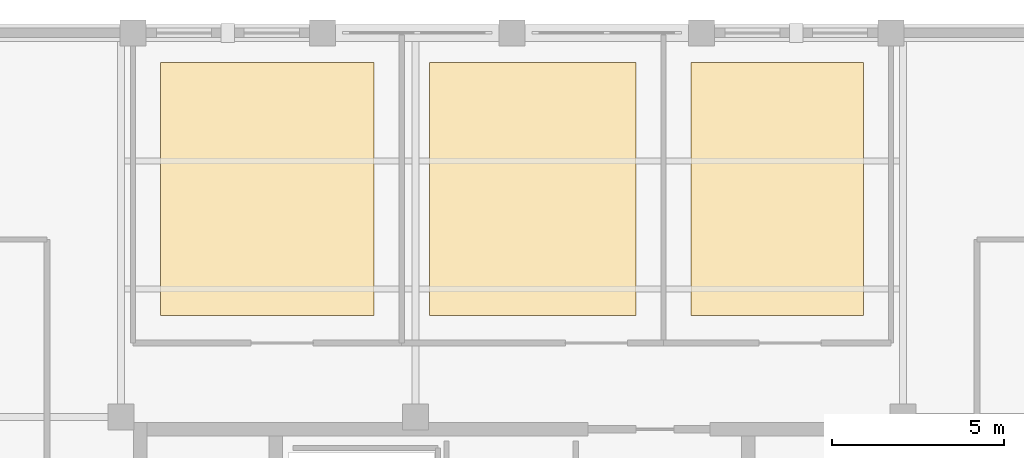
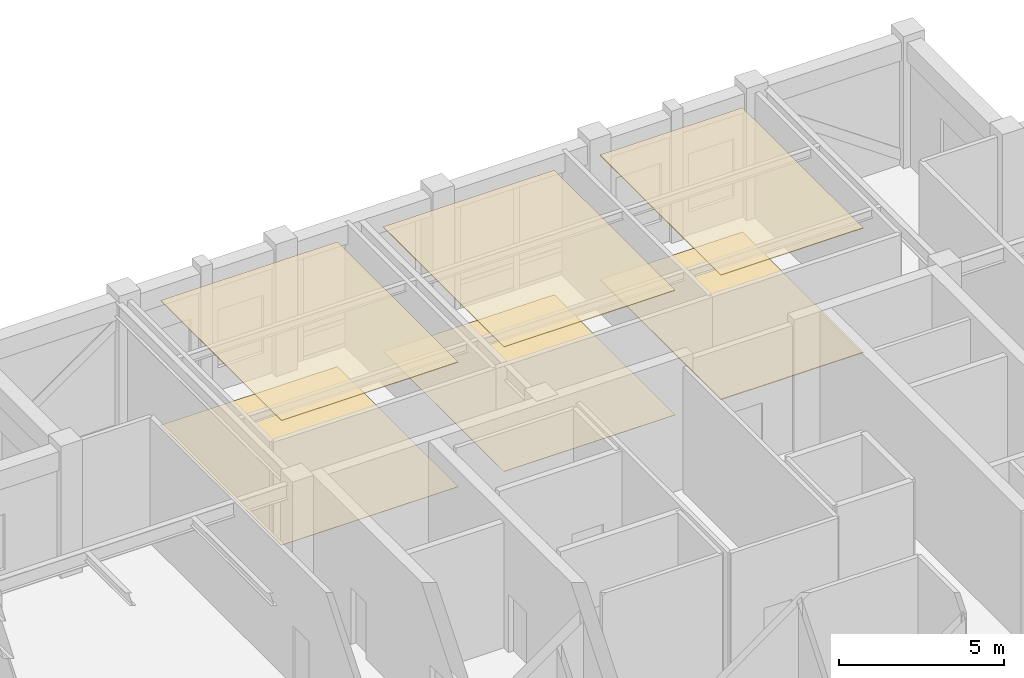
# One storey, part 13 of 13: 6 coverings.
"""IFC4 building model written with IfcOpenShell, lengths in metres."""

from ifc_helpers import new_model, si_unit, direction, frame, origin, place, context, subcontext, project, spatial, polyline, outline, extrude, material, layer, layer_set, type_object, element, save


model = new_model("IFC4")

# Units and contexts
model_context = context("Model", 3, precision=1e-05, world=origin(), true_north=direction((0.0, 1.0)))
body_context = subcontext(model_context, "Body", "Model", "MODEL_VIEW")
ifc_project = project(units=[si_unit("LENGTHUNIT", "METRE"), si_unit("AREAUNIT", "SQUARE_METRE"), si_unit("VOLUMEUNIT", "CUBIC_METRE"), si_unit("PLANEANGLEUNIT", "RADIAN"), si_unit("MASSUNIT", "GRAM", prefix="KILO")], contexts=[model_context])

# Site, building, storey
site_placement = place(None, origin())
site = spatial("IfcSite", under=ifc_project, at=site_placement, CompositionType="ELEMENT")
building_placement = place(site_placement, origin())
building = spatial("IfcBuilding", under=site, at=building_placement, Name="Nhamokura Convention Tower", CompositionType="ELEMENT")
storey_placement = place(building_placement, frame((0.0, 0.0, 308.35009765625)))
storey = spatial("IfcBuildingStorey", under=building, at=storey_placement, Name="L76", CompositionType="ELEMENT", Elevation=308.35009765625)

# Coverings
ifc_material_1 = material(Name="Mineral-fibre acoustic ceiling tile", Category="gypsum")
ifc_layer_1 = layer(ifc_material_1, 0.02490234375)
ifc_layer_set_1 = layer_set([ifc_layer_1], Name="AcousticTileCeiling_25")
covering_type_1 = type_object("IfcCoveringType", Name="AcousticTileCeiling_25", PredefinedType="CEILING", material=ifc_layer_set_1)
covering_1_placement = place(storey_placement, frame((0.0, 0.0, 4.614990234375)))
element("IfcCovering", 1, at=covering_1_placement, inside=storey, type_object=covering_type_1, Name="L76 Suspended Ceiling 03", PredefinedType="CEILING", context=body_context, shape_type="SweptSolid", body=[
    extrude(outline(polyline([(21.800048828125, 46.300048828125), (28.0, 46.300048828125), (28.0, 53.639892578125), (21.800048828125, 53.639892578125), (21.800048828125, 46.300048828125)])), origin(), (0.0, 0.0, 1.0), 0.02490234375),
])
covering_2_placement = place(storey_placement, frame((0.0, 0.0, 4.614990234375)))
element("IfcCovering", 2, at=covering_2_placement, inside=storey, type_object=covering_type_1, Name="L76 Suspended Ceiling 04", PredefinedType="CEILING", context=body_context, shape_type="SweptSolid", body=[
    extrude(outline(polyline([(29.60009765625, 46.300048828125), (35.60009765625, 46.300048828125), (35.60009765625, 53.639892578125), (29.60009765625, 53.639892578125), (29.60009765625, 46.300048828125)])), origin(), (0.0, 0.0, 1.0), 0.02490234375),
])
covering_3_placement = place(storey_placement, frame((0.0, 0.0, 4.614990234375)))
element("IfcCovering", 3, at=covering_3_placement, inside=storey, type_object=covering_type_1, Name="L76 Suspended Ceiling 05", PredefinedType="CEILING", context=body_context, shape_type="SweptSolid", body=[
    extrude(outline(polyline([(37.199951171875, 46.300048828125), (42.199951171875, 46.300048828125), (42.199951171875, 53.639892578125), (37.199951171875, 53.639892578125), (37.199951171875, 46.300048828125)])), origin(), (0.0, 0.0, 1.0), 0.02490234375),
])
ifc_material_2 = material(Name="Polished Sabana granite terrazzo", Category="masonry")
ifc_layer_2 = layer(ifc_material_2, 0.030029296875)
ifc_layer_set_2 = layer_set([ifc_layer_2], Name="SabanaTerrazzoFlooring_30")
covering_type_2 = type_object("IfcCoveringType", Name="SabanaTerrazzoFlooring_30", PredefinedType="FLOORING", material=ifc_layer_set_2)
covering_4_placement = place(storey_placement, origin())
element("IfcCovering", 4, at=covering_4_placement, inside=storey, type_object=covering_type_2, Name="L76 Finish Flooring 05", PredefinedType="FLOORING", context=body_context, shape_type="SweptSolid", body=[
    extrude(outline(polyline([(37.199951171875, 46.300048828125), (42.199951171875, 46.300048828125), (42.199951171875, 53.639892578125), (37.199951171875, 53.639892578125), (37.199951171875, 46.300048828125)])), origin(), (0.0, 0.0, 1.0), 0.02978515625),
])
ifc_material_3 = material(Name="Acoustic woven hospitality carpet", Category="wood")
ifc_layer_3 = layer(ifc_material_3, 0.014892578125)
ifc_layer_set_3 = layer_set([ifc_layer_3], Name="WovenCarpetFlooring_15")
covering_type_3 = type_object("IfcCoveringType", Name="WovenCarpetFlooring_15", PredefinedType="FLOORING", material=ifc_layer_set_3)
covering_5_placement = place(storey_placement, origin())
element("IfcCovering", 5, at=covering_5_placement, inside=storey, type_object=covering_type_3, Name="L76 Finish Flooring 03", PredefinedType="FLOORING", context=body_context, shape_type="SweptSolid", body=[
    extrude(outline(polyline([(21.800048828125, 46.300048828125), (28.0, 46.300048828125), (28.0, 53.639892578125), (21.800048828125, 53.639892578125), (21.800048828125, 46.300048828125)])), origin(), (0.0, 0.0, 1.0), 0.014892578125),
])
covering_6_placement = place(storey_placement, origin())
element("IfcCovering", 6, at=covering_6_placement, inside=storey, type_object=covering_type_3, Name="L76 Finish Flooring 04", PredefinedType="FLOORING", context=body_context, shape_type="SweptSolid", body=[
    extrude(outline(polyline([(29.60009765625, 46.300048828125), (35.60009765625, 46.300048828125), (35.60009765625, 53.639892578125), (29.60009765625, 53.639892578125), (29.60009765625, 46.300048828125)])), origin(), (0.0, 0.0, 1.0), 0.014892578125),
])

save(model, "model.ifc")
